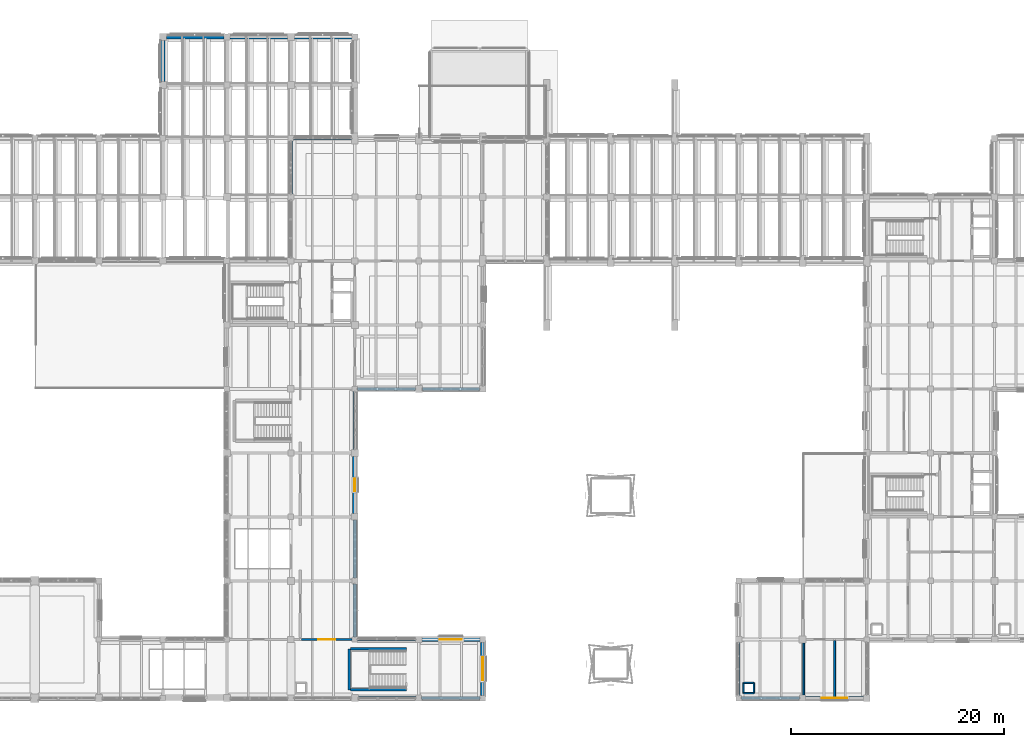
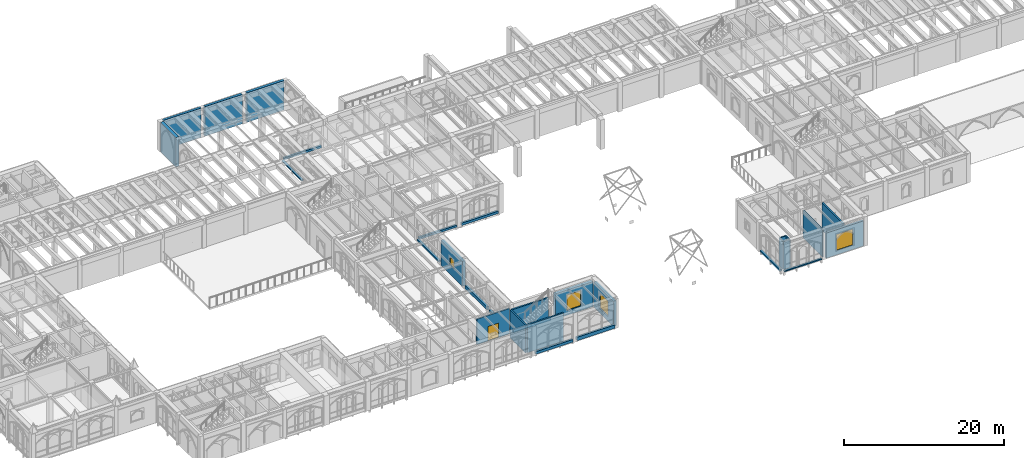
# One storey, part 79 of 127: 30 walls, 4 windows, 1 door, 5 openings.
"""IFC4 building model written with IfcOpenShell, lengths in metres."""

from ifc_helpers import new_model, si_unit, direction, frame, frame_2d, origin, place, context, subcontext, project, spatial, rectangle, extrude, material, layer, layer_set, type_object, element, fill, save


model = new_model("IFC4")

# Units and contexts
model_context = context("Model", 3, precision=1e-05, world=origin(), true_north=direction((0.0, 1.0)))
body_context = subcontext(model_context, "Body", "Model", "MODEL_VIEW")
ifc_project = project(units=[si_unit("LENGTHUNIT", "METRE"), si_unit("AREAUNIT", "SQUARE_METRE"), si_unit("VOLUMEUNIT", "CUBIC_METRE"), si_unit("PLANEANGLEUNIT", "RADIAN"), si_unit("MASSUNIT", "GRAM", prefix="KILO")], contexts=[model_context])

# Site, building, storey
site_placement = place(None, origin())
site = spatial("IfcSite", under=ifc_project, at=site_placement, CompositionType="ELEMENT")
building_placement = place(site_placement, origin())
building = spatial("IfcBuilding", under=site, at=building_placement, Name="Cumevento Cable Car Station", CompositionType="ELEMENT")
storey_placement = place(building_placement, frame((0.0, 0.0, 4.5)))
storey = spatial("IfcBuildingStorey", under=building, at=storey_placement, Name="L02", CompositionType="ELEMENT", Elevation=4.5)

# Wall, opening, window
ifc_material_1 = material(Name="Gnaisse Facoidal Stone Ashlar 85 MPa", Category="masonry")
ifc_layer_1 = layer(ifc_material_1, 0.280029296875)
ifc_layer_set_1 = layer_set([ifc_layer_1], Name="Gnaisse Facoidal Stone Ashlar 85 MPa")
wall_type_1 = type_object("IfcWallType", Name="Exterior Envelope Wall EW-280 280", PredefinedType="SOLIDWALL", material=ifc_layer_set_1)
wall_1_placement = place(storey_placement, frame((117.699951171875, 4.0, 0.0), z_axis=(0.0, 0.0, 1.0), x_axis=(-1.0, 0.0, 0.0)))
wall_1 = element("IfcWall", 1, at=wall_1_placement, inside=storey, type_object=wall_type_1, Name="Exterior Wall EW-280 L02 #105", PredefinedType="SOLIDWALL", context=body_context, shape_type="SweptSolid", body=[
    extrude(rectangle(XDim=5.425048828125, YDim=0.280029296875, at=frame_2d((2.71240234375, 0.0))), origin(), (0.0, 0.0, 1.0), 3.843017578125),
])
opening_1_placement = place(wall_1_placement, frame((1.53759765625, 0.0, 0.64990234375)))
opening_1 = element("IfcOpeningElement", 2, at=opening_1_placement, cuts=wall_1, Name="Opening WN-L02-040", PredefinedType="OPENING", context=body_context, shape_type="SweptSolid", body=[
    extrude(rectangle(XDim=2.35009765625, YDim=2.449951171875, at=frame_2d((1.175048828125, 1.22509765625))), frame((0.0, 0.150146484375, 0.0), z_axis=(0.0, -1.0, 0.0), x_axis=(1.0, 0.0, 0.0)), (0.0, 0.0, 1.0), 0.300048828125),
])
ifc_material_2 = material(Name="Anodised Bronze Aluminium & Laminated Solar Glass", Category="aluminium")
window_type_1 = type_object("IfcWindowType", Name="Lancet Window WN-16 2350x2450", PartitioningType="DOUBLE_PANEL_VERTICAL", PredefinedType="WINDOW", material=ifc_material_2)
window_1_placement = place(opening_1_placement, origin())
window_1 = element("IfcWindow", 3, at=window_1_placement, inside=storey, type_object=window_type_1, Name="Lancet Window WN-L02-040 (WN-16)", OverallHeight=2.449951171875, OverallWidth=2.35009765625, PartitioningType="SINGLE_PANEL", PredefinedType="WINDOW", context=body_context, shape_type="SweptSolid", body=[
    extrude(rectangle(XDim=2.35009765625, YDim=2.449951171875, at=frame_2d((1.175048828125, 1.22509765625))), frame((0.0, 0.030029296875, 0.0), z_axis=(0.0, -1.0, 0.0), x_axis=(1.0, 0.0, 0.0)), (0.0, 0.0, 1.0), 0.06005859375),
])
fill(opening_1, window_1)

# Walls
ifc_material_3 = material(Name="Gnaisse Facoidal Stone Ashlar 85 MPa", Category="masonry")
ifc_layer_2 = layer(ifc_material_3, 0.294921875)
ifc_layer_set_2 = layer_set([ifc_layer_2], Name="Gnaisse Facoidal Stone Ashlar 85 MPa")
wall_type_2 = type_object("IfcWallType", Name="Exterior Envelope Wall EW-295 295", PredefinedType="SOLIDWALL", material=ifc_layer_set_2)
wall_2_placement = place(storey_placement, frame((75.72509765625, 4.0, 0.0), z_axis=(0.0, 0.0, 1.0), x_axis=(-1.0, 0.0, 0.0)))
element("IfcWall", 4, at=wall_2_placement, inside=storey, type_object=wall_type_2, Name="Exterior Sill Curb Wall EW-295 L02 #98", PredefinedType="SOLIDWALL", context=body_context, shape_type="SweptSolid", body=[
    extrude(rectangle(XDim=5.400146484375, YDim=0.294921875, at=frame_2d((2.7001953125, 0.0))), origin(), (0.0, 0.0, 1.0), 0.409912109375),
])
wall_3_placement = place(storey_placement, frame((70.25, 9.5, 0.0), z_axis=(0.0, 0.0, 1.0), x_axis=(1.0, 0.0, 0.0)))
element("IfcWall", 5, at=wall_3_placement, inside=storey, type_object=wall_type_2, Name="Exterior Sill Curb Wall EW-295 L02 #99", PredefinedType="SOLIDWALL", context=body_context, shape_type="SweptSolid", body=[
    extrude(rectangle(XDim=5.449951171875, YDim=0.294921875, at=frame_2d((2.72509765625, 0.0))), origin(), (0.0, 0.0, 1.0), 0.4599609375),
])
wall_4_placement = place(storey_placement, frame((81.75, 4.0, 0.0), z_axis=(0.0, 0.0, 1.0), x_axis=(-1.0, 0.0, 0.0)))
element("IfcWall", 6, at=wall_4_placement, inside=storey, type_object=wall_type_2, Name="Exterior Sill Curb Wall EW-295 L02 #100", PredefinedType="SOLIDWALL", context=body_context, shape_type="SweptSolid", body=[
    extrude(rectangle(XDim=5.47509765625, YDim=0.294921875, at=frame_2d((2.737548828125, 0.0))), origin(), (0.0, 0.0, 1.0), 0.52001953125),
])
wall_5_placement = place(storey_placement, frame((111.72509765625, 4.0, 0.0), z_axis=(0.0, 0.0, 1.0), x_axis=(-1.0, 0.0, 0.0)))
element("IfcWall", 7, at=wall_5_placement, inside=storey, type_object=wall_type_2, Name="Exterior Sill Curb Wall EW-295 L02 #103", PredefinedType="SOLIDWALL", context=body_context, shape_type="SweptSolid", body=[
    extrude(rectangle(XDim=5.47509765625, YDim=0.294921875, at=frame_2d((2.737548828125, 0.0))), origin(), (0.0, 0.0, 1.0), 0.159912109375),
])
wall_6_placement = place(storey_placement, frame((106.0, 4.25, 0.0), z_axis=(0.0, 0.0, 1.0), x_axis=(0.0, 1.0, 0.0)))
element("IfcWall", 8, at=wall_6_placement, inside=storey, type_object=wall_type_2, Name="Exterior Sill Curb Wall EW-295 L02 #107", PredefinedType="SOLIDWALL", context=body_context, shape_type="SweptSolid", body=[
    extrude(rectangle(XDim=4.949951171875, YDim=0.294921875, at=frame_2d((2.47509765625, 0.0))), origin(), (0.0, 0.0, 1.0), 0.260009765625),
])
wall_7_placement = place(storey_placement, frame((70.0, 14.72509765625, 0.0), z_axis=(0.0, 0.0, 1.0), x_axis=(0.0, -1.0, 0.0)))
element("IfcWall", 9, at=wall_7_placement, inside=storey, type_object=wall_type_2, Name="Exterior Sill Curb Wall EW-295 L02 #111", PredefinedType="SOLIDWALL", context=body_context, shape_type="SweptSolid", body=[
    extrude(rectangle(XDim=4.97509765625, YDim=0.294921875, at=frame_2d((2.487548828125, 0.0))), origin(), (0.0, 0.0, 1.0), 0.409912109375),
])
wall_8_placement = place(storey_placement, frame((70.0, 20.699951171875, 0.0), z_axis=(0.0, 0.0, 1.0), x_axis=(0.0, -1.0, 0.0)))
element("IfcWall", 10, at=wall_8_placement, inside=storey, type_object=wall_type_2, Name="Exterior Sill Curb Wall EW-295 L02 #113", PredefinedType="SOLIDWALL", context=body_context, shape_type="SweptSolid", body=[
    extrude(rectangle(XDim=5.425048828125, YDim=0.294921875, at=frame_2d((2.71240234375, 0.0))), origin(), (0.0, 0.0, 1.0), 0.52001953125),
])
wall_9_placement = place(storey_placement, frame((70.0, 32.75, 0.0), z_axis=(0.0, 0.0, 1.0), x_axis=(0.0, -1.0, 0.0)))
element("IfcWall", 11, at=wall_9_placement, inside=storey, type_object=wall_type_2, Name="Exterior Sill Curb Wall EW-295 L02 #117", PredefinedType="SOLIDWALL", context=body_context, shape_type="SweptSolid", body=[
    extrude(rectangle(XDim=5.425048828125, YDim=0.294921875, at=frame_2d((2.71240234375, 0.0))), origin(), (0.0, 0.0, 1.0), 0.260009765625),
])
wall_10_placement = place(storey_placement, frame((75.675048828125, 33.0, 0.0), z_axis=(0.0, 0.0, 1.0), x_axis=(-1.0, 0.0, 0.0)))
element("IfcWall", 12, at=wall_10_placement, inside=storey, type_object=wall_type_2, Name="Exterior Sill Curb Wall EW-295 L02 #121", PredefinedType="SOLIDWALL", context=body_context, shape_type="SweptSolid", body=[
    extrude(rectangle(XDim=5.425048828125, YDim=0.294921875, at=frame_2d((2.71240234375, 0.0))), origin(), (0.0, 0.0, 1.0), 0.31005859375),
])
wall_11_placement = place(storey_placement, frame((81.699951171875, 33.0, 0.0), z_axis=(0.0, 0.0, 1.0), x_axis=(-1.0, 0.0, 0.0)))
element("IfcWall", 13, at=wall_11_placement, inside=storey, type_object=wall_type_2, Name="Exterior Sill Curb Wall EW-295 L02 #122", PredefinedType="SOLIDWALL", context=body_context, shape_type="SweptSolid", body=[
    extrude(rectangle(XDim=5.375, YDim=0.294921875, at=frame_2d((2.6875, 0.0))), origin(), (0.0, 0.0, 1.0), 0.360107421875),
])
wall_12_placement = place(storey_placement, frame((64.25, 56.5, 0.0), z_axis=(0.0, 0.0, 1.0), x_axis=(1.0, 0.0, 0.0)))
element("IfcWall", 14, at=wall_12_placement, inside=storey, type_object=wall_type_2, Name="Exterior Sill Curb Wall EW-295 L02 #149", PredefinedType="SOLIDWALL", context=body_context, shape_type="SweptSolid", body=[
    extrude(rectangle(XDim=5.449951171875, YDim=0.294921875, at=frame_2d((2.72509765625, 0.0))), origin(), (0.0, 0.0, 1.0), 0.31005859375),
])
wall_13_placement = place(storey_placement, frame((64.0, 51.27490234375, 0.0), z_axis=(0.0, 0.0, 1.0), x_axis=(0.0, 1.0, 0.0)))
element("IfcWall", 15, at=wall_13_placement, inside=storey, type_object=wall_type_2, Name="Exterior Sill Curb Wall EW-295 L02 #156", PredefinedType="SOLIDWALL", context=body_context, shape_type="SweptSolid", body=[
    extrude(rectangle(XDim=4.97509765625, YDim=0.294921875, at=frame_2d((2.487548828125, 0.0))), origin(), (0.0, 0.0, 1.0), 0.159912109375),
])

# Wall, opening, window
ifc_material_4 = material(Name="Gnaisse Facoidal Stone Ashlar 85 MPa", Category="masonry")
ifc_layer_3 = layer(ifc_material_4, 0.4150390625)
ifc_layer_set_3 = layer_set([ifc_layer_3], Name="Gnaisse Facoidal Stone Ashlar 85 MPa")
wall_type_3 = type_object("IfcWallType", Name="Exterior Envelope Wall EW-415 415", PredefinedType="SOLIDWALL", material=ifc_layer_set_3)
wall_14_placement = place(storey_placement, frame((76.300048828125, 9.5, 0.0), z_axis=(0.0, 0.0, 1.0), x_axis=(1.0, 0.0, 0.0)))
wall_14 = element("IfcWall", 16, at=wall_14_placement, inside=storey, type_object=wall_type_3, Name="Exterior Wall EW-415 L02 #101", PredefinedType="SOLIDWALL", context=body_context, shape_type="SweptSolid", body=[
    extrude(rectangle(XDim=5.425048828125, YDim=0.4150390625, at=frame_2d((2.71240234375, 0.0))), origin(), (0.0, 0.0, 1.0), 3.85693359375),
])
opening_2_placement = place(wall_14_placement, frame((1.6875, 0.0, 0.699951171875)))
opening_2 = element("IfcOpeningElement", 17, at=opening_2_placement, cuts=wall_14, Name="Opening WN-L02-037", PredefinedType="OPENING", context=body_context, shape_type="SweptSolid", body=[
    extrude(rectangle(XDim=2.050048828125, YDim=2.39990234375, at=frame_2d((1.02490234375, 1.199951171875))), frame((0.0, 0.217529296875, 0.0), z_axis=(0.0, -1.0, 0.0), x_axis=(1.0, 0.0, 0.0)), (0.0, 0.0, 1.0), 0.43505859375),
])
ifc_material_5 = material(Name="Anodised Bronze Aluminium & Laminated Solar Glass", Category="aluminium")
window_type_2 = type_object("IfcWindowType", Name="Lancet Window WN-13 2050x2400", PartitioningType="DOUBLE_PANEL_VERTICAL", PredefinedType="WINDOW", material=ifc_material_5)
window_2_placement = place(opening_2_placement, origin())
window_2 = element("IfcWindow", 18, at=window_2_placement, inside=storey, type_object=window_type_2, Name="Lancet Window WN-L02-037 (WN-13)", OverallHeight=2.39990234375, OverallWidth=2.050048828125, PartitioningType="SINGLE_PANEL", PredefinedType="WINDOW", context=body_context, shape_type="SweptSolid", body=[
    extrude(rectangle(XDim=2.050048828125, YDim=2.39990234375, at=frame_2d((1.02490234375, 1.199951171875))), frame((0.0, 0.030029296875, 0.0), z_axis=(0.0, -1.0, 0.0), x_axis=(1.0, 0.0, 0.0)), (0.0, 0.0, 1.0), 0.06005859375),
])
fill(opening_2, window_2)

ifc_material_6 = material(Name="Gnaisse Facoidal Stone Ashlar 85 MPa", Category="masonry")
ifc_layer_4 = layer(ifc_material_6, 0.429931640625)
ifc_layer_set_4 = layer_set([ifc_layer_4], Name="Gnaisse Facoidal Stone Ashlar 85 MPa")
wall_type_4 = type_object("IfcWallType", Name="Exterior Envelope Wall EW-430 430", PredefinedType="SOLIDWALL", material=ifc_layer_set_4)
wall_15_placement = place(storey_placement, frame((82.0, 9.22509765625, 0.0), z_axis=(0.0, 0.0, 1.0), x_axis=(0.0, -1.0, 0.0)))
wall_15 = element("IfcWall", 19, at=wall_15_placement, inside=storey, type_object=wall_type_4, Name="Exterior Wall EW-430 L02 #102", PredefinedType="SOLIDWALL", context=body_context, shape_type="SweptSolid", body=[
    extrude(rectangle(XDim=4.97509765625, YDim=0.429931640625, at=frame_2d((2.487548828125, 0.0))), origin(), (0.0, 0.0, 1.0), 3.85693359375),
])
opening_3_placement = place(wall_15_placement, frame((1.41259765625, 0.0, 0.699951171875)))
opening_3 = element("IfcOpeningElement", 20, at=opening_3_placement, cuts=wall_15, Name="Opening WN-L02-038", PredefinedType="OPENING", context=body_context, shape_type="SweptSolid", body=[
    extrude(rectangle(XDim=2.14990234375, YDim=2.39990234375, at=frame_2d((1.074951171875, 1.199951171875))), frame((0.0, 0.224853515625, 0.0), z_axis=(0.0, -1.0, 0.0), x_axis=(1.0, 0.0, 0.0)), (0.0, 0.0, 1.0), 0.449951171875),
])
ifc_material_7 = material(Name="Anodised Bronze Aluminium & Laminated Solar Glass", Category="aluminium")
window_type_3 = type_object("IfcWindowType", Name="Lancet Window WN-14 2150x2400", PartitioningType="DOUBLE_PANEL_VERTICAL", PredefinedType="WINDOW", material=ifc_material_7)
window_3_placement = place(opening_3_placement, origin())
window_3 = element("IfcWindow", 21, at=window_3_placement, inside=storey, type_object=window_type_3, Name="Lancet Window WN-L02-038 (WN-14)", OverallHeight=2.39990234375, OverallWidth=2.14990234375, PartitioningType="SINGLE_PANEL", PredefinedType="WINDOW", context=body_context, shape_type="SweptSolid", body=[
    extrude(rectangle(XDim=2.14990234375, YDim=2.39990234375, at=frame_2d((1.074951171875, 1.199951171875))), frame((0.0, 0.030029296875, 0.0), z_axis=(0.0, -1.0, 0.0), x_axis=(1.0, 0.0, 0.0)), (0.0, 0.0, 1.0), 0.06005859375),
])
fill(opening_3, window_3)

wall_16_placement = place(storey_placement, frame((70.0, 26.675048828125, 0.0), z_axis=(0.0, 0.0, 1.0), x_axis=(0.0, -1.0, 0.0)))
wall_16 = element("IfcWall", 22, at=wall_16_placement, inside=storey, type_object=wall_type_4, Name="Exterior Wall EW-430 L02 #115", PredefinedType="SOLIDWALL", context=body_context, shape_type="SweptSolid", body=[
    extrude(rectangle(XDim=5.375, YDim=0.429931640625, at=frame_2d((2.6875, 0.0))), origin(), (0.0, 0.0, 1.0), 3.8330078125),
])
opening_4_placement = place(wall_16_placement, frame((2.112548828125, 0.0, 1.35009765625)))
opening_4 = element("IfcOpeningElement", 23, at=opening_4_placement, cuts=wall_16, Name="Opening WN-L02-042", PredefinedType="OPENING", context=body_context, shape_type="SweptSolid", body=[
    extrude(rectangle(XDim=1.14990234375, YDim=1.35009765625, at=frame_2d((0.574951171875, 0.675048828125))), frame((0.0, 0.224853515625, 0.0), z_axis=(0.0, -1.0, 0.0), x_axis=(1.0, 0.0, 0.0)), (0.0, 0.0, 1.0), 0.449951171875),
])
ifc_material_8 = material(Name="Anodised Bronze Aluminium & Laminated Solar Glass", Category="aluminium")
window_type_4 = type_object("IfcWindowType", Name="Lancet Window WN-18 1150x1350", PartitioningType="SINGLE_PANEL", PredefinedType="WINDOW", material=ifc_material_8)
window_4_placement = place(opening_4_placement, origin())
window_4 = element("IfcWindow", 24, at=window_4_placement, inside=storey, type_object=window_type_4, Name="Lancet Window WN-L02-042 (WN-18)", OverallHeight=1.35009765625, OverallWidth=1.14990234375, PartitioningType="SINGLE_PANEL", PredefinedType="WINDOW", context=body_context, shape_type="SweptSolid", body=[
    extrude(rectangle(XDim=1.14990234375, YDim=1.35009765625, at=frame_2d((0.574951171875, 0.675048828125))), frame((0.0, 0.030029296875, 0.0), z_axis=(0.0, -1.0, 0.0), x_axis=(1.0, 0.0, 0.0)), (0.0, 0.0, 1.0), 0.06005859375),
])
fill(opening_4, window_4)

# Wall, opening, door
ifc_material_9 = material(Name="Concrete C40/50", Category="concrete")
ifc_layer_5 = layer(ifc_material_9, 0.219970703125)
ifc_layer_set_5 = layer_set([ifc_layer_5], Name="Concrete C40/50")
wall_type_5 = type_object("IfcWallType", Name="Interior Partition FW-220 220", PredefinedType="SOLIDWALL", material=ifc_layer_set_5)
wall_17_placement = place(storey_placement, frame((65.0, 9.5, 0.0), z_axis=(0.0, 0.0, 1.0), x_axis=(1.0, 0.0, 0.0)))
wall_17 = element("IfcWall", 25, at=wall_17_placement, inside=storey, type_object=wall_type_5, Name="Interior Wall FW-220 L02 #597", PredefinedType="SOLIDWALL", context=body_context, shape_type="SweptSolid", body=[
    extrude(rectangle(XDim=4.748046875, YDim=0.219970703125, at=frame_2d((2.3740234375, 0.0))), origin(), (0.0, 0.0, 1.0), 3.885986328125),
])
opening_5_placement = place(wall_17_placement, frame((1.583984375, 0.0, 0.0)))
opening_5 = element("IfcOpeningElement", 26, at=opening_5_placement, cuts=wall_17, Name="Opening DR-L02-209", PredefinedType="OPENING", context=body_context, shape_type="SweptSolid", body=[
    extrude(rectangle(XDim=1.580078125, YDim=2.199951171875, at=frame_2d((0.7900390625, 1.10009765625))), frame((0.0, 0.119873046875, 0.0), z_axis=(0.0, -1.0, 0.0), x_axis=(1.0, 0.0, 0.0)), (0.0, 0.0, 1.0), 0.239990234375),
])
ifc_material_10 = material(Name="Galvanised Painted Steel Fire Door", Category="steel")
door_type = type_object("IfcDoorType", Name="Interior Door FD-06 1580x2200", OperationType="NOTDEFINED", PredefinedType="DOOR", material=ifc_material_10)
door_placement = place(opening_5_placement, origin())
door = element("IfcDoor", 27, at=door_placement, inside=storey, type_object=door_type, Name="Interior Door DR-L02-209 (FD-06)", OperationType="DOUBLE_DOOR_SINGLE_SWING", OverallHeight=2.199951171875, OverallWidth=1.580078125, PredefinedType="DOOR", context=body_context, shape_type="SweptSolid", body=[
    extrude(rectangle(XDim=1.580078125, YDim=2.199951171875, at=frame_2d((0.7900390625, 1.10009765625))), frame((0.0, 0.02490234375, 0.0), z_axis=(0.0, -1.0, 0.0), x_axis=(1.0, 0.0, 0.0)), (0.0, 0.0, 1.0), 0.050048828125),
])
fill(opening_5, door)

# Walls
ifc_material_11 = material(Name="Gypsum Board & Insulated Stud Partition", Category="gypsum")
ifc_layer_6 = layer(ifc_material_11, 0.14501953125)
ifc_layer_set_6 = layer_set([ifc_layer_6], Name="Gypsum Board & Insulated Stud Partition")
wall_type_6 = type_object("IfcWallType", Name="Interior Partition PT-145 145", PredefinedType="PARTITIONING", material=ifc_layer_set_6)
for number, where, z_axis, x_axis, name in (
    (28, (106.469970703125, 4.469970703125, 0.0), (0.0, 0.0, 1.0), (1.0, 0.0, 0.0), "Interior Wall PT-145 L02 #17"),
    (29, (107.429931640625, 4.469970703125, 0.0), (0.0, 0.0, 1.0), (0.0, 1.0, 0.0), "Interior Wall PT-145 L02 #18"),
    (30, (107.429931640625, 5.429931640625, 0.0), (0.0, 0.0, 1.0), (-1.0, 0.0, 0.0), "Interior Wall PT-145 L02 #19"),
    (31, (106.469970703125, 5.429931640625, 0.0), (0.0, 0.0, 1.0), (0.0, -1.0, 0.0), "Interior Wall PT-145 L02 #20"),
):
    element("IfcWall", number, at=place(storey_placement, frame(where, z_axis=z_axis, x_axis=x_axis)), inside=storey, type_object=wall_type_6, Name=name, PredefinedType="PARTITIONING", context=body_context, shape_type="SweptSolid", body=[
        extrude(rectangle(XDim=0.9599609375, YDim=0.14501953125, at=frame_2d((0.47998046875, 0.0))), origin(), (0.0, 0.0, 1.0), 4.239990234375),
    ])
ifc_material_12 = material(Name="Gypsum Board & Insulated Stud Partition", Category="gypsum")
ifc_layer_7 = layer(ifc_material_12, 0.1650390625)
ifc_layer_set_7 = layer_set([ifc_layer_7], Name="Gypsum Board & Insulated Stud Partition")
wall_type_7 = type_object("IfcWallType", Name="Interior Partition PT-165 165", PredefinedType="PARTITIONING", material=ifc_layer_set_7)
wall_18_placement = place(storey_placement, frame((112.10009765625, 4.277099609375, 0.0), z_axis=(0.0, 0.0, 1.0), x_axis=(0.0, 1.0, 0.0)))
element("IfcWall", 32, at=wall_18_placement, inside=storey, type_object=wall_type_7, Name="Interior Wall PT-165 L02 #604", PredefinedType="PARTITIONING", context=body_context, shape_type="SweptSolid", body=[
    extrude(rectangle(XDim=4.89599609375, YDim=0.1650390625, at=frame_2d((2.447998046875, 0.0))), origin(), (0.0, 0.0, 1.0), 4.239990234375),
])
ifc_material_13 = material(Name="Moisture-Resistant Tile & Stud Partition", Category="gypsum")
ifc_layer_8 = layer(ifc_material_13, 0.18505859375)
ifc_layer_set_8 = layer_set([ifc_layer_8], Name="Moisture-Resistant Tile & Stud Partition")
wall_type_8 = type_object("IfcWallType", Name="Interior Partition PT-185 185", PredefinedType="PARTITIONING", material=ifc_layer_set_8)
wall_19_placement = place(storey_placement, frame((115.0, 4.14208984375, 0.0), z_axis=(0.0, 0.0, 1.0), x_axis=(0.0, 1.0, 0.0)))
element("IfcWall", 33, at=wall_19_placement, inside=storey, type_object=wall_type_8, Name="Interior Wall PT-185 L02 #605", PredefinedType="PARTITIONING", context=body_context, shape_type="SweptSolid", body=[
    extrude(rectangle(XDim=5.2578125, YDim=0.18505859375, at=frame_2d((2.62890625, 0.0))), origin(), (0.0, 0.0, 1.0), 4.239990234375),
])
ifc_material_14 = material(Name="Concrete C40/50", Category="concrete")
ifc_layer_9 = layer(ifc_material_14, 0.22998046875)
ifc_layer_set_9 = layer_set([ifc_layer_9], Name="Concrete C40/50")
wall_type_9 = type_object("IfcWallType", Name="Interior Shear Wall CW-230 230", PredefinedType="SHEAR", material=ifc_layer_set_9)
wall_20_placement = place(storey_placement, frame((69.47998046875, 4.780029296875, 0.0), z_axis=(0.0, 0.0, 1.0), x_axis=(0.0, 1.0, 0.0)))
element("IfcWall", 34, at=wall_20_placement, inside=storey, type_object=wall_type_9, Name="Interior Wall CW-230 L02 #527", PredefinedType="SHEAR", context=body_context, shape_type="SweptSolid", body=[
    extrude(rectangle(XDim=3.840087890625, YDim=0.22998046875, at=frame_2d((1.919921875, 0.0))), origin(), (0.0, 0.0, 1.0), 4.263916015625),
])
for number, where, z_axis, x_axis, name in (
    (35, (69.60009765625, 4.780029296875, 0.0), (0.0, 0.0, 1.0), (1.0, 0.0, 0.0), "Interior Wall CW-230 L02 #528"),
    (36, (69.60009765625, 8.6201171875, 0.0), (0.0, 0.0, 1.0), (1.0, 0.0, 0.0), "Interior Wall CW-230 L02 #529"),
):
    element("IfcWall", number, at=place(storey_placement, frame(where, z_axis=z_axis, x_axis=x_axis)), inside=storey, type_object=wall_type_9, Name=name, PredefinedType="SHEAR", context=body_context, shape_type="SweptSolid", body=[
        extrude(rectangle(XDim=5.239990234375, YDim=0.22998046875, at=frame_2d((2.6201171875, 0.0))), origin(), (0.0, 0.0, 1.0), 4.263916015625),
    ])
ifc_material_15 = material(Name="Concrete C40/50", Category="concrete")
ifc_layer_10 = layer(ifc_material_15, 0.340087890625)
ifc_layer_set_10 = layer_set([ifc_layer_10], Name="Concrete C40/50")
wall_type_10 = type_object("IfcWallType", Name="Retaining Wall RW-340 340", PredefinedType="USERDEFINED", material=ifc_layer_set_10)
wall_21_placement = place(storey_placement, frame((52.324951171875, 66.0, 0.0), z_axis=(0.0, 0.0, 1.0), x_axis=(1.0, 0.0, 0.0)))
element("IfcWall", 37, at=wall_21_placement, inside=storey, type_object=wall_type_10, Name="Retaining Wall RW-340 L02 #66", ObjectType="RETAININGWALL", PredefinedType="USERDEFINED", context=body_context, shape_type="SweptSolid", body=[
    extrude(rectangle(XDim=5.400146484375, YDim=0.340087890625, at=frame_2d((2.7001953125, 0.0))), origin(), (0.0, 0.0, 1.0), 4.5),
])
ifc_material_16 = material(Name="Concrete C40/50", Category="concrete")
ifc_layer_11 = layer(ifc_material_16, 0.360107421875)
ifc_layer_set_11 = layer_set([ifc_layer_11], Name="Concrete C40/50")
wall_type_11 = type_object("IfcWallType", Name="Retaining Wall RW-360 360", PredefinedType="USERDEFINED", material=ifc_layer_set_11)
wall_22_placement = place(storey_placement, frame((58.27490234375, 66.0, 0.0), z_axis=(0.0, 0.0, 1.0), x_axis=(1.0, 0.0, 0.0)))
element("IfcWall", 38, at=wall_22_placement, inside=storey, type_object=wall_type_11, Name="Retaining Wall RW-360 L02 #67", ObjectType="RETAININGWALL", PredefinedType="USERDEFINED", context=body_context, shape_type="SweptSolid", body=[
    extrude(rectangle(XDim=5.400146484375, YDim=0.360107421875, at=frame_2d((2.7001953125, 0.0))), origin(), (0.0, 0.0, 1.0), 4.5),
])
ifc_material_17 = material(Name="Concrete C40/50", Category="concrete")
ifc_layer_12 = layer(ifc_material_17, 0.385009765625)
ifc_layer_set_12 = layer_set([ifc_layer_12], Name="Concrete C40/50")
wall_type_12 = type_object("IfcWallType", Name="Retaining Wall RW-385 385", PredefinedType="USERDEFINED", material=ifc_layer_set_12)
wall_23_placement = place(storey_placement, frame((64.324951171875, 66.0, 0.0), z_axis=(0.0, 0.0, 1.0), x_axis=(1.0, 0.0, 0.0)))
element("IfcWall", 39, at=wall_23_placement, inside=storey, type_object=wall_type_12, Name="Retaining Wall RW-385 L02 #68", ObjectType="RETAININGWALL", PredefinedType="USERDEFINED", context=body_context, shape_type="SweptSolid", body=[
    extrude(rectangle(XDim=5.400146484375, YDim=0.385009765625, at=frame_2d((2.7001953125, 0.0))), origin(), (0.0, 0.0, 1.0), 4.5),
])
ifc_material_18 = material(Name="Concrete C40/50", Category="concrete")
ifc_layer_13 = layer(ifc_material_18, 0.43505859375)
ifc_layer_set_13 = layer_set([ifc_layer_13], Name="Concrete C40/50")
wall_type_13 = type_object("IfcWallType", Name="Retaining Wall RW-435 435", PredefinedType="USERDEFINED", material=ifc_layer_set_13)
wall_24_placement = place(storey_placement, frame((52.0, 61.824951171875, 0.0), z_axis=(0.0, 0.0, 1.0), x_axis=(0.0, 1.0, 0.0)))
element("IfcWall", 40, at=wall_24_placement, inside=storey, type_object=wall_type_13, Name="Retaining Wall RW-435 L02 #70", ObjectType="RETAININGWALL", PredefinedType="USERDEFINED", context=body_context, shape_type="SweptSolid", body=[
    extrude(rectangle(XDim=3.85009765625, YDim=0.43505859375, at=frame_2d((1.925048828125, 0.0))), origin(), (0.0, 0.0, 1.0), 4.5),
])

save(model, "model.ifc")
